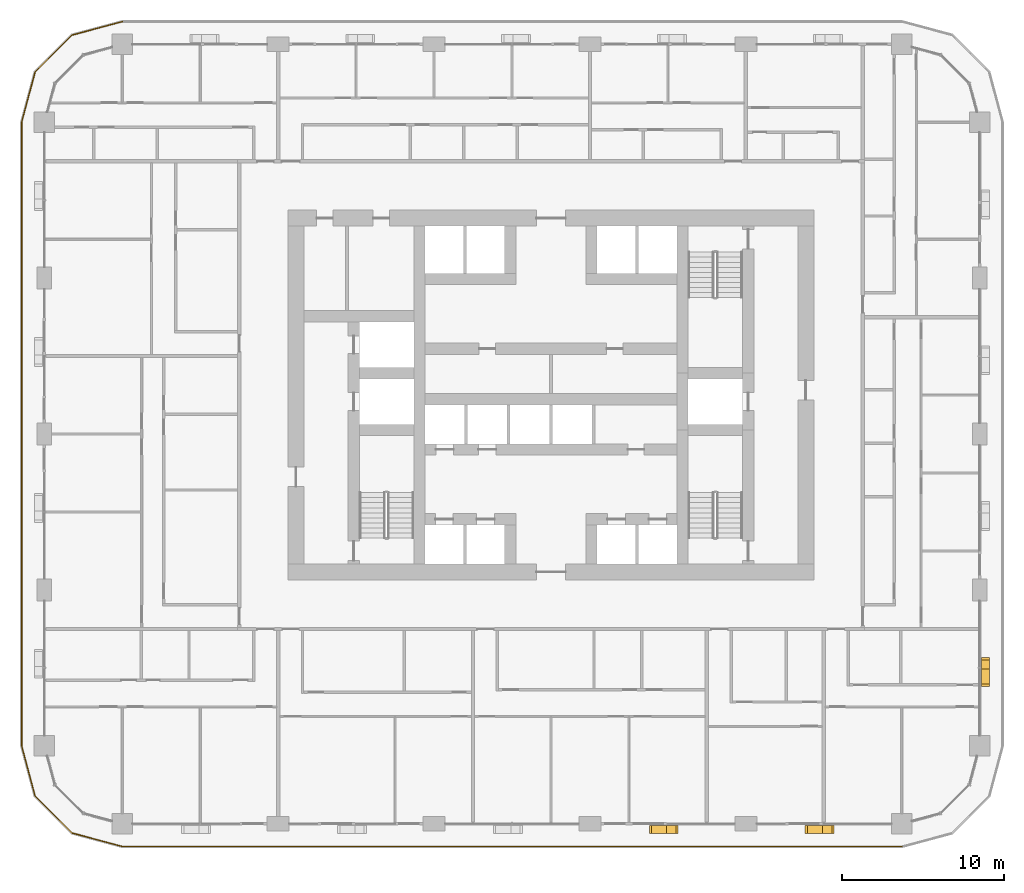
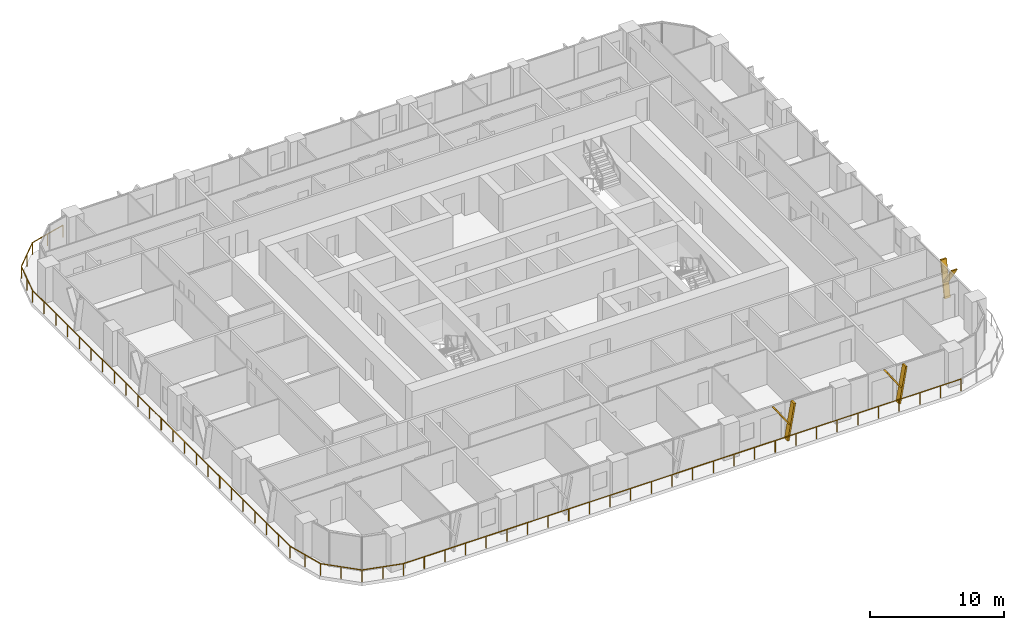
# One storey, part 18 of 21: 6 shading devices, 1 railing.
"""IFC4 building model written with IfcOpenShell, lengths in metres."""

import ifcopenshell
import ifcopenshell.guid

model = None  # the IFC model being written
_history = None  # IfcOwnerHistory: only IFC2X3 demands one
_inside = {}  # id of a spatial element -> (the spatial element, [elements in it])
_under = {}  # id of a project, library or spatial element -> (it, [spatial elements below it])
_declared = {}  # id of a project -> (the project, [libraries it declares])
_typed = {}  # id of a type object -> (the type object, [elements of that type])
_made_of = {}  # id of a material, layer set ... -> (it, [elements and type objects made of it])


def new_model(schema):
    """Start an empty IFC model of exactly this schema.

    Asked for "IFC4X3", IfcOpenShell would pick the latest addendum, in which some entities
    have other attributes; the version numbers below select the first issue.
    IFC2X3 requires an IfcOwnerHistory on every rooted entity: one is made here for all.
    """
    global model, _history
    if schema == "IFC4X3":
        model = ifcopenshell.file(schema_version=(4, 3, 0, 0))
    else:
        model = ifcopenshell.file(schema=schema)
    _inside.clear()
    _under.clear()
    _declared.clear()
    _typed.clear()
    _made_of.clear()
    _history = None
    if model.schema == "IFC2X3":
        org = make("IfcOrganization", Name="unknown")
        user = make(
            "IfcPersonAndOrganization",
            ThePerson=make("IfcPerson", FamilyName="unknown"),
            TheOrganization=org,
        )
        app = make(
            "IfcApplication",
            ApplicationDeveloper=org,
            Version="unknown",
            ApplicationFullName="unknown",
            ApplicationIdentifier="unknown",
        )
        _history = make(
            "IfcOwnerHistory",
            OwningUser=user,
            OwningApplication=app,
            ChangeAction="ADDED",
            CreationDate=0,
        )
    return model


def make(cls, **values):
    """One entity of the class cls with the attributes given. An attribute that is None is left unset."""
    return model.create_entity(
        cls, **{name: value for name, value in values.items() if value is not None}
    )


def rooted(cls, **values):
    """An entity with a GlobalId (a new one), such as an element, a storey or a relation."""
    return make(cls, GlobalId=ifcopenshell.guid.new(), OwnerHistory=_history, **values)


def si_unit(unit_type, name, prefix=None):
    """IfcSIUnit, for example si_unit("LENGTHUNIT", "METRE", prefix="MILLI")."""
    return make("IfcSIUnit", UnitType=unit_type, Prefix=prefix, Name=name)


def assignment(units):
    """IfcUnitAssignment: the units of a project."""
    return None if units is None else make("IfcUnitAssignment", Units=units)


def point(xyz):
    """IfcCartesianPoint."""
    return None if xyz is None else make("IfcCartesianPoint", Coordinates=xyz)


def direction(xyz):
    """IfcDirection."""
    return None if xyz is None else make("IfcDirection", DirectionRatios=xyz)


def frame(location, z_axis=None, x_axis=None):
    """IfcAxis2Placement3D, a coordinate frame: its origin and axes. An axis left out is left unset."""
    return make(
        "IfcAxis2Placement3D",
        Location=point(location),
        Axis=direction(z_axis),
        RefDirection=direction(x_axis),
    )


def frame_2d(location, x_axis=None):
    """IfcAxis2Placement2D, a coordinate frame in the plane: its origin and x axis."""
    return make(
        "IfcAxis2Placement2D", Location=point(location), RefDirection=direction(x_axis)
    )


def origin():
    """The frame at (0, 0, 0) with its axes left unset."""
    return frame((0.0, 0.0, 0.0))


def origin_2d():
    """The frame at (0, 0) in the plane with its x axis left unset."""
    return frame_2d((0.0, 0.0))


def place(relative_to, where):
    """IfcLocalPlacement: puts the frame where relative to a parent placement (None: the world)."""
    return make(
        "IfcLocalPlacement", PlacementRelTo=relative_to, RelativePlacement=where
    )


def context(
    kind, dimensions, precision=None, world=None, true_north=None, identifier=None
):
    """IfcGeometricRepresentationContext, for example the 3D "Model" context."""
    return make(
        "IfcGeometricRepresentationContext",
        ContextIdentifier=identifier,
        ContextType=kind,
        CoordinateSpaceDimension=dimensions,
        Precision=precision,
        WorldCoordinateSystem=world,
        TrueNorth=true_north,
    )


def subcontext(parent, identifier, kind, view, scale=None):
    """IfcGeometricRepresentationSubContext, for example "Body" below "Model"."""
    return make(
        "IfcGeometricRepresentationSubContext",
        ContextIdentifier=identifier,
        ContextType=kind,
        ParentContext=parent,
        TargetScale=scale,
        TargetView=view,
    )


def project(units=None, contexts=None):
    """IfcProject with its units and contexts."""
    return rooted(
        "IfcProject",
        Name="project",
        RepresentationContexts=contexts,
        UnitsInContext=assignment(units),
    )


def spatial(cls, under=None, at=None, **own):
    """A site, building, storey or space (cls), placed at a placement, below another one or the project."""
    s = rooted(cls, ObjectPlacement=at, **own)
    if under is not None:
        _under.setdefault(under.id(), (under, []))[1].append(s)
    return s


def polyline(points):
    """IfcPolyline through the points."""
    return make("IfcPolyline", Points=[point(p) for p in points])


def profile(cls, at=None, kind="AREA", **sizes):
    """A parametric profile (cls). Its sizes go by their IFC names, for example OverallWidth=200.0."""
    return make(cls, ProfileType=kind, Position=at, **sizes)


def circle(**sizes):
    """IfcCircleProfileDef."""
    return profile("IfcCircleProfileDef", **sizes)


def outline(outer, holes=None, kind="AREA"):
    """IfcArbitraryClosedProfileDef: a profile drawn as a closed curve; with holes, ...WithVoids."""
    if holes is None:
        return make("IfcArbitraryClosedProfileDef", ProfileType=kind, OuterCurve=outer)
    return make(
        "IfcArbitraryProfileDefWithVoids",
        ProfileType=kind,
        OuterCurve=outer,
        InnerCurves=holes,
    )


def extrude(swept, where, along, depth):
    """IfcExtrudedAreaSolid: the profile swept, set in the frame where, extruded along a direction by depth."""
    return make(
        "IfcExtrudedAreaSolid",
        SweptArea=swept,
        Position=where,
        ExtrudedDirection=direction(along),
        Depth=depth,
    )


def shape(context_of_items, identifier, shape_type, items):
    """IfcShapeRepresentation: the items that make up one representation, for example the "Body"."""
    return make(
        "IfcShapeRepresentation",
        ContextOfItems=context_of_items,
        RepresentationIdentifier=identifier,
        RepresentationType=shape_type,
        Items=items,
    )


def material(Name=None, Category=None):
    """IfcMaterial."""
    return make("IfcMaterial", Name=Name, Category=Category)


def made_of(thing, what):
    """Note that an element or type object is made of a material, layer set ...; save() writes the relation."""
    if what is not None:
        _made_of.setdefault(what.id(), (what, []))[1].append(thing)
    return thing


def type_object(cls, material=None, **own):
    """A type object (cls), such as IfcWallType, which elements share."""
    return made_of(rooted(cls, **own), material)


def element(
    cls,
    number,
    at=None,
    inside=None,
    cuts=None,
    type_object=None,
    material=None,
    context=None,
    identifier="Body",
    shape_type=None,
    held_by="IfcProductDefinitionShape",
    body=None,
    shapes=None,
    **own,
):
    """One element of the class cls, such as IfcWall. Its Tag is "e" and its number.

    at: its placement. inside: the storey or other place that contains it. cuts: it is an
    opening in that element (IfcRelVoidsElement). A single representation is given by context,
    identifier, shape_type and body (its items); several are given by shapes. held_by: the class
    of the entity that holds the representations. save() writes the other relations.
    """
    e = rooted(cls, Tag="e%d" % number, ObjectPlacement=at, **own)
    if body is not None:
        shapes = [shape(context, identifier, shape_type, body)]
    if shapes is not None:
        e.Representation = make(held_by, Representations=shapes)
    if inside is not None:
        _inside.setdefault(inside.id(), (inside, []))[1].append(e)
    if cuts is not None:
        rooted(
            "IfcRelVoidsElement", RelatingBuildingElement=cuts, RelatedOpeningElement=e
        )
    if type_object is not None:
        _typed.setdefault(type_object.id(), (type_object, []))[1].append(e)
    return made_of(e, material)


def aggregate(whole, parts):
    """IfcRelAggregates: a whole, such as a stair, and the parts it consists of."""
    return rooted("IfcRelAggregates", RelatingObject=whole, RelatedObjects=parts)


def save(model, path):
    """Write the relations noted so far, then the file.

    IfcRelAggregates (storeys below a building ...), IfcRelContainedInSpatialStructure (elements
    in a storey), IfcRelDefinesByType, IfcRelAssociatesMaterial and IfcRelDeclares: one each for
    every whole, place, type object, material and project.
    """
    for whole, parts in _under.values():
        aggregate(whole, parts)
    for where, things in _inside.values():
        rooted(
            "IfcRelContainedInSpatialStructure",
            RelatedElements=things,
            RelatingStructure=where,
        )
    for kind, things in _typed.values():
        rooted("IfcRelDefinesByType", RelatedObjects=things, RelatingType=kind)
    for what, things in _made_of.values():
        rooted("IfcRelAssociatesMaterial", RelatedObjects=things, RelatingMaterial=what)
    for by, libraries in _declared.values():
        rooted("IfcRelDeclares", RelatingContext=by, RelatedDefinitions=libraries)
    model.write(path)


model = new_model("IFC4")

# Units and contexts
model_context = context("Model", 3, precision=1e-05, world=origin(), true_north=direction((0.0, 1.0)))
body_context = subcontext(model_context, "Body", "Model", "MODEL_VIEW")
ifc_project = project(units=[si_unit("LENGTHUNIT", "METRE"), si_unit("AREAUNIT", "SQUARE_METRE"), si_unit("VOLUMEUNIT", "CUBIC_METRE"), si_unit("PLANEANGLEUNIT", "RADIAN"), si_unit("MASSUNIT", "GRAM", prefix="KILO")], contexts=[model_context])

# Site, building, storey
site_placement = place(None, origin())
site = spatial("IfcSite", under=ifc_project, at=site_placement, CompositionType="ELEMENT")
building_placement = place(site_placement, origin())
building = spatial("IfcBuilding", under=site, at=building_placement, Name="Madar Terraces", CompositionType="ELEMENT")
storey_placement = place(building_placement, frame((0.0, 0.0, 29.39990234375)))
storey = spatial("IfcBuildingStorey", under=building, at=storey_placement, Name="L06", CompositionType="ELEMENT", Elevation=29.39990234375)

# Railing
ifc_material_1 = material(Name="Glass, safety glazing, with stainless steel posts", Category="steel")
railing_type = type_object("IfcRailingType", Name="Balcony glass guard 1100", PredefinedType="GUARDRAIL", material=ifc_material_1)
railing_placement = place(storey_placement, frame((4.800048828125, 49.39990234375, 0.0)))
element("IfcRailing", 1, at=railing_placement, inside=storey, type_object=railing_type, Name="Balcony guard", PredefinedType="GUARDRAIL", context=body_context, shape_type="SweptSolid", body=[
    extrude(circle(Radius=0.02392578125, at=origin_2d()), frame((0.0, 0.0, 1.076171875), z_axis=(-0.9659337912, -0.258789317819, 0.0), x_axis=(0.258789317819, -0.9659337912, 0.0)), (0.0, 0.0, 1.0), 3.20947265625),
    extrude(circle(Radius=0.02392578125, at=origin_2d()), frame((-3.10009765625, -0.83056640625, 1.076171875), z_axis=(-0.707106781187, -0.707106781187, 0.0), x_axis=(0.707106781187, -0.707106781187, 0.0)), (0.0, 0.0, 1.0), 3.209228515625),
    extrude(circle(Radius=0.02392578125, at=origin_2d()), frame((-5.369384765625, -3.099853515625, 1.076171875), z_axis=(-0.258789317819, -0.9659337912, 0.0), x_axis=(0.9659337912, -0.258789317819, 0.0)), (0.0, 0.0, 1.0), 3.20947265625),
    extrude(circle(Radius=0.02392578125, at=origin_2d()), frame((-6.199951171875, -6.199951171875, 1.076171875), z_axis=(0.0, -1.0, 0.0), x_axis=(1.0, 0.0, 0.0)), (0.0, 0.0, 1.0), 38.39990234375),
    extrude(circle(Radius=0.02392578125, at=origin_2d()), frame((-6.199951171875, -44.599853515625, 1.076171875), z_axis=(0.258789317819, -0.9659337912, 0.0), x_axis=(0.9659337912, 0.258789317819, 0.0)), (0.0, 0.0, 1.0), 3.20947265625),
    extrude(circle(Radius=0.02392578125, at=origin_2d()), frame((-5.369384765625, -47.699951171875, 1.076171875), z_axis=(0.707106781187, -0.707106781187, 0.0), x_axis=(0.707106781187, 0.707106781187, 0.0)), (0.0, 0.0, 1.0), 3.209228515625),
    extrude(circle(Radius=0.02392578125, at=origin_2d()), frame((-3.10009765625, -49.96923828125, 1.076171875), z_axis=(0.9659337912, -0.258789317819, 0.0), x_axis=(0.258789317819, 0.9659337912, 0.0)), (0.0, 0.0, 1.0), 3.20947265625),
    extrude(circle(Radius=0.02392578125, at=origin_2d()), frame((0.0, -50.7998046875, 1.076171875), z_axis=(1.0, 0.0, 0.0), x_axis=(0.0, 1.0, 0.0)), (0.0, 0.0, 1.0), 48.0),
    extrude(circle(Radius=0.02099609375, at=origin_2d()), origin(), (0.0, 0.0, 1.0), 1.052001953125),
    extrude(circle(Radius=0.02099609375, at=origin_2d()), frame((-1.550048828125, -0.415283203125, 0.0)), (0.0, 0.0, 1.0), 1.052001953125),
    extrude(circle(Radius=0.02099609375, at=origin_2d()), frame((-3.10009765625, -0.83056640625, 0.0)), (0.0, 0.0, 1.0), 1.052001953125),
    extrude(circle(Radius=0.02099609375, at=origin_2d()), frame((-4.23486328125, -1.96533203125, 0.0)), (0.0, 0.0, 1.0), 1.052001953125),
    extrude(circle(Radius=0.02099609375, at=origin_2d()), frame((-5.369384765625, -3.099853515625, 0.0)), (0.0, 0.0, 1.0), 1.052001953125),
    extrude(circle(Radius=0.02099609375, at=origin_2d()), frame((-5.78466796875, -4.64990234375, 0.0)), (0.0, 0.0, 1.0), 1.052001953125),
    extrude(circle(Radius=0.02099609375, at=origin_2d()), frame((-6.199951171875, -6.199951171875, 0.0)), (0.0, 0.0, 1.0), 1.052001953125),
    extrude(circle(Radius=0.02099609375, at=origin_2d()), frame((-6.199951171875, -7.9453125, 0.0)), (0.0, 0.0, 1.0), 1.052001953125),
    extrude(circle(Radius=0.02099609375, at=origin_2d()), frame((-6.199951171875, -9.69091796875, 0.0)), (0.0, 0.0, 1.0), 1.052001953125),
    extrude(circle(Radius=0.02099609375, at=origin_2d()), frame((-6.199951171875, -11.436279296875, 0.0)), (0.0, 0.0, 1.0), 1.052001953125),
    extrude(circle(Radius=0.02099609375, at=origin_2d()), frame((-6.199951171875, -13.181640625, 0.0)), (0.0, 0.0, 1.0), 1.052001953125),
    extrude(circle(Radius=0.02099609375, at=origin_2d()), frame((-6.199951171875, -14.92724609375, 0.0)), (0.0, 0.0, 1.0), 1.052001953125),
    extrude(circle(Radius=0.02099609375, at=origin_2d()), frame((-6.199951171875, -16.672607421875, 0.0)), (0.0, 0.0, 1.0), 1.052001953125),
    extrude(circle(Radius=0.02099609375, at=origin_2d()), frame((-6.199951171875, -18.418212890625, 0.0)), (0.0, 0.0, 1.0), 1.052001953125),
    extrude(circle(Radius=0.02099609375, at=origin_2d()), frame((-6.199951171875, -20.16357421875, 0.0)), (0.0, 0.0, 1.0), 1.052001953125),
    extrude(circle(Radius=0.02099609375, at=origin_2d()), frame((-6.199951171875, -21.908935546875, 0.0)), (0.0, 0.0, 1.0), 1.052001953125),
    extrude(circle(Radius=0.02099609375, at=origin_2d()), frame((-6.199951171875, -23.654541015625, 0.0)), (0.0, 0.0, 1.0), 1.052001953125),
    extrude(circle(Radius=0.02099609375, at=origin_2d()), frame((-6.199951171875, -25.39990234375, 0.0)), (0.0, 0.0, 1.0), 1.052001953125),
    extrude(circle(Radius=0.02099609375, at=origin_2d()), frame((-6.199951171875, -27.145263671875, 0.0)), (0.0, 0.0, 1.0), 1.052001953125),
    extrude(circle(Radius=0.02099609375, at=origin_2d()), frame((-6.199951171875, -28.890869140625, 0.0)), (0.0, 0.0, 1.0), 1.052001953125),
    extrude(circle(Radius=0.02099609375, at=origin_2d()), frame((-6.199951171875, -30.63623046875, 0.0)), (0.0, 0.0, 1.0), 1.052001953125),
    extrude(circle(Radius=0.02099609375, at=origin_2d()), frame((-6.199951171875, -32.381591796875, 0.0)), (0.0, 0.0, 1.0), 1.052001953125),
    extrude(circle(Radius=0.02099609375, at=origin_2d()), frame((-6.199951171875, -34.127197265625, 0.0)), (0.0, 0.0, 1.0), 1.052001953125),
    extrude(circle(Radius=0.02099609375, at=origin_2d()), frame((-6.199951171875, -35.87255859375, 0.0)), (0.0, 0.0, 1.0), 1.052001953125),
    extrude(circle(Radius=0.02099609375, at=origin_2d()), frame((-6.199951171875, -37.6181640625, 0.0)), (0.0, 0.0, 1.0), 1.052001953125),
    extrude(circle(Radius=0.02099609375, at=origin_2d()), frame((-6.199951171875, -39.363525390625, 0.0)), (0.0, 0.0, 1.0), 1.052001953125),
    extrude(circle(Radius=0.02099609375, at=origin_2d()), frame((-6.199951171875, -41.10888671875, 0.0)), (0.0, 0.0, 1.0), 1.052001953125),
    extrude(circle(Radius=0.02099609375, at=origin_2d()), frame((-6.199951171875, -42.8544921875, 0.0)), (0.0, 0.0, 1.0), 1.052001953125),
    extrude(circle(Radius=0.02099609375, at=origin_2d()), frame((-6.199951171875, -44.599853515625, 0.0)), (0.0, 0.0, 1.0), 1.052001953125),
    extrude(circle(Radius=0.02099609375, at=origin_2d()), frame((-5.78466796875, -46.14990234375, 0.0)), (0.0, 0.0, 1.0), 1.052001953125),
    extrude(circle(Radius=0.02099609375, at=origin_2d()), frame((-5.369384765625, -47.699951171875, 0.0)), (0.0, 0.0, 1.0), 1.052001953125),
    extrude(circle(Radius=0.02099609375, at=origin_2d()), frame((-4.23486328125, -48.83447265625, 0.0)), (0.0, 0.0, 1.0), 1.052001953125),
    extrude(circle(Radius=0.02099609375, at=origin_2d()), frame((-3.10009765625, -49.96923828125, 0.0)), (0.0, 0.0, 1.0), 1.052001953125),
    extrude(circle(Radius=0.02099609375, at=origin_2d()), frame((-1.550048828125, -50.384521484375, 0.0)), (0.0, 0.0, 1.0), 1.052001953125),
    extrude(circle(Radius=0.02099609375, at=origin_2d()), frame((0.0, -50.7998046875, 0.0)), (0.0, 0.0, 1.0), 1.052001953125),
    extrude(circle(Radius=0.02099609375, at=origin_2d()), frame((1.77783203125, -50.7998046875, 0.0)), (0.0, 0.0, 1.0), 1.052001953125),
    extrude(circle(Radius=0.02099609375, at=origin_2d()), frame((3.5556640625, -50.7998046875, 0.0)), (0.0, 0.0, 1.0), 1.052001953125),
    extrude(circle(Radius=0.02099609375, at=origin_2d()), frame((5.333251953125, -50.7998046875, 0.0)), (0.0, 0.0, 1.0), 1.052001953125),
    extrude(circle(Radius=0.02099609375, at=origin_2d()), frame((7.111083984375, -50.7998046875, 0.0)), (0.0, 0.0, 1.0), 1.052001953125),
    extrude(circle(Radius=0.02099609375, at=origin_2d()), frame((8.888916015625, -50.7998046875, 0.0)), (0.0, 0.0, 1.0), 1.052001953125),
    extrude(circle(Radius=0.02099609375, at=origin_2d()), frame((10.666748046875, -50.7998046875, 0.0)), (0.0, 0.0, 1.0), 1.052001953125),
    extrude(circle(Radius=0.02099609375, at=origin_2d()), frame((12.4443359375, -50.7998046875, 0.0)), (0.0, 0.0, 1.0), 1.052001953125),
    extrude(circle(Radius=0.02099609375, at=origin_2d()), frame((14.22216796875, -50.7998046875, 0.0)), (0.0, 0.0, 1.0), 1.052001953125),
    extrude(circle(Radius=0.02099609375, at=origin_2d()), frame((16.0, -50.7998046875, 0.0)), (0.0, 0.0, 1.0), 1.052001953125),
    extrude(circle(Radius=0.02099609375, at=origin_2d()), frame((17.77783203125, -50.7998046875, 0.0)), (0.0, 0.0, 1.0), 1.052001953125),
    extrude(circle(Radius=0.02099609375, at=origin_2d()), frame((19.5556640625, -50.7998046875, 0.0)), (0.0, 0.0, 1.0), 1.052001953125),
    extrude(circle(Radius=0.02099609375, at=origin_2d()), frame((21.333251953125, -50.7998046875, 0.0)), (0.0, 0.0, 1.0), 1.052001953125),
    extrude(circle(Radius=0.02099609375, at=origin_2d()), frame((23.111083984375, -50.7998046875, 0.0)), (0.0, 0.0, 1.0), 1.052001953125),
    extrude(circle(Radius=0.02099609375, at=origin_2d()), frame((24.888916015625, -50.7998046875, 0.0)), (0.0, 0.0, 1.0), 1.052001953125),
    extrude(circle(Radius=0.02099609375, at=origin_2d()), frame((26.666748046875, -50.7998046875, 0.0)), (0.0, 0.0, 1.0), 1.052001953125),
    extrude(circle(Radius=0.02099609375, at=origin_2d()), frame((28.4443359375, -50.7998046875, 0.0)), (0.0, 0.0, 1.0), 1.052001953125),
    extrude(circle(Radius=0.02099609375, at=origin_2d()), frame((30.22216796875, -50.7998046875, 0.0)), (0.0, 0.0, 1.0), 1.052001953125),
    extrude(circle(Radius=0.02099609375, at=origin_2d()), frame((32.0, -50.7998046875, 0.0)), (0.0, 0.0, 1.0), 1.052001953125),
    extrude(circle(Radius=0.02099609375, at=origin_2d()), frame((33.77783203125, -50.7998046875, 0.0)), (0.0, 0.0, 1.0), 1.052001953125),
    extrude(circle(Radius=0.02099609375, at=origin_2d()), frame((35.5556640625, -50.7998046875, 0.0)), (0.0, 0.0, 1.0), 1.052001953125),
    extrude(circle(Radius=0.02099609375, at=origin_2d()), frame((37.333251953125, -50.7998046875, 0.0)), (0.0, 0.0, 1.0), 1.052001953125),
    extrude(circle(Radius=0.02099609375, at=origin_2d()), frame((39.111083984375, -50.7998046875, 0.0)), (0.0, 0.0, 1.0), 1.052001953125),
    extrude(circle(Radius=0.02099609375, at=origin_2d()), frame((40.888916015625, -50.7998046875, 0.0)), (0.0, 0.0, 1.0), 1.052001953125),
    extrude(circle(Radius=0.02099609375, at=origin_2d()), frame((42.666748046875, -50.7998046875, 0.0)), (0.0, 0.0, 1.0), 1.052001953125),
    extrude(circle(Radius=0.02099609375, at=origin_2d()), frame((44.4443359375, -50.7998046875, 0.0)), (0.0, 0.0, 1.0), 1.052001953125),
    extrude(circle(Radius=0.02099609375, at=origin_2d()), frame((46.22216796875, -50.7998046875, 0.0)), (0.0, 0.0, 1.0), 1.052001953125),
    extrude(circle(Radius=0.02099609375, at=origin_2d()), frame((48.0, -50.7998046875, 0.0)), (0.0, 0.0, 1.0), 1.052001953125),
])

# Shading devices
ifc_material_2 = material(Name="Aluminium, black anodised", Category="aluminium")
shading_device_type = type_object("IfcShadingDeviceType", Name="Facade fin blade 140 x 500", PredefinedType="USERDEFINED", material=ifc_material_2)
shading_device_1_placement = place(storey_placement, frame((38.330078125, -0.35009765625, 0.0), z_axis=(0.0, 0.0, 1.0), x_axis=(1.0, 0.0, 0.0)))
element("IfcShadingDevice", 2, at=shading_device_1_placement, inside=storey, type_object=shading_device_type, Name="FIN L06 S4", ObjectType="FIN", PredefinedType="USERDEFINED", context=body_context, shape_type="SweptSolid", body=[
    extrude(outline(polyline([(0.0, 0.0), (0.139892578125, 0.0), (0.704345703125, 3.2001953125), (0.564208984375, 3.2001953125), (0.0, 0.0)])), frame((0.0, 0.25, 0.0), z_axis=(0.0, -1.0, 0.0), x_axis=(1.0, 0.0, 0.0)), (0.0, 0.0, 1.0), 0.5),
])
shading_device_2_placement = place(storey_placement, frame((38.44384765625, -0.35009765625, 1.440185546875), z_axis=(0.0, 0.0, 1.0), x_axis=(1.0, 0.0, 0.0)))
element("IfcShadingDevice", 3, at=shading_device_2_placement, inside=storey, type_object=shading_device_type, Name="FIN L06 S4 branch", ObjectType="FIN", PredefinedType="USERDEFINED", context=body_context, shape_type="SweptSolid", body=[
    extrude(outline(polyline([(0.0, 0.0), (0.14013671875, 0.0), (-1.049560546875, 1.760009765625), (-1.189697265625, 1.760009765625), (0.0, 0.0)])), frame((0.0, 0.25, 0.0), z_axis=(0.0, -1.0, 0.0), x_axis=(1.0, 0.0, 0.0)), (0.0, 0.0, 1.0), 0.5),
])
shading_device_3_placement = place(storey_placement, frame((47.929931640625, -0.35009765625, 0.0), z_axis=(0.0, 0.0, 1.0), x_axis=(1.0, 0.0, 0.0)))
element("IfcShadingDevice", 4, at=shading_device_3_placement, inside=storey, type_object=shading_device_type, Name="FIN L06 S5", ObjectType="FIN", PredefinedType="USERDEFINED", context=body_context, shape_type="SweptSolid", body=[
    extrude(outline(polyline([(0.0, 0.0), (0.14013671875, 0.0), (0.704345703125, 3.2001953125), (0.564208984375, 3.2001953125), (0.0, 0.0)])), frame((0.0, 0.25, 0.0), z_axis=(0.0, -1.0, 0.0), x_axis=(1.0, 0.0, 0.0)), (0.0, 0.0, 1.0), 0.5),
])
shading_device_4_placement = place(storey_placement, frame((48.0439453125, -0.35009765625, 1.440185546875), z_axis=(0.0, 0.0, 1.0), x_axis=(1.0, 0.0, 0.0)))
element("IfcShadingDevice", 5, at=shading_device_4_placement, inside=storey, type_object=shading_device_type, Name="FIN L06 S5 branch", ObjectType="FIN", PredefinedType="USERDEFINED", context=body_context, shape_type="SweptSolid", body=[
    extrude(outline(polyline([(0.0, 0.0), (0.139892578125, 0.0), (-1.049560546875, 1.760009765625), (-1.189697265625, 1.760009765625), (0.0, 0.0)])), frame((0.0, 0.25, 0.0), z_axis=(0.0, -1.0, 0.0), x_axis=(1.0, 0.0, 0.0)), (0.0, 0.0, 1.0), 0.5),
])
shading_device_5_placement = place(storey_placement, frame((57.949951171875, 9.530029296875, 0.0), z_axis=(0.0, 0.0, 1.0), x_axis=(0.0, 1.0, 0.0)))
element("IfcShadingDevice", 6, at=shading_device_5_placement, inside=storey, type_object=shading_device_type, Name="FIN L06 E1", ObjectType="FIN", PredefinedType="USERDEFINED", context=body_context, shape_type="SweptSolid", body=[
    extrude(outline(polyline([(0.0, 0.0), (0.139892578125, 0.0), (0.704345703125, 3.2001953125), (0.564208984375, 3.2001953125), (0.0, 0.0)])), frame((0.0, 0.25, 0.0), z_axis=(0.0, -1.0, 0.0), x_axis=(1.0, 0.0, 0.0)), (0.0, 0.0, 1.0), 0.5),
])
shading_device_6_placement = place(storey_placement, frame((57.949951171875, 9.643798828125, 1.440185546875), z_axis=(0.0, 0.0, 1.0), x_axis=(0.0, 1.0, 0.0)))
element("IfcShadingDevice", 7, at=shading_device_6_placement, inside=storey, type_object=shading_device_type, Name="FIN L06 E1 branch", ObjectType="FIN", PredefinedType="USERDEFINED", context=body_context, shape_type="SweptSolid", body=[
    extrude(outline(polyline([(0.0, 0.0), (0.14013671875, 0.0), (-1.049560546875, 1.760009765625), (-1.189697265625, 1.760009765625), (0.0, 0.0)])), frame((0.0, 0.25, 0.0), z_axis=(0.0, -1.0, 0.0), x_axis=(1.0, 0.0, 0.0)), (0.0, 0.0, 1.0), 0.5),
])

save(model, "model.ifc")
